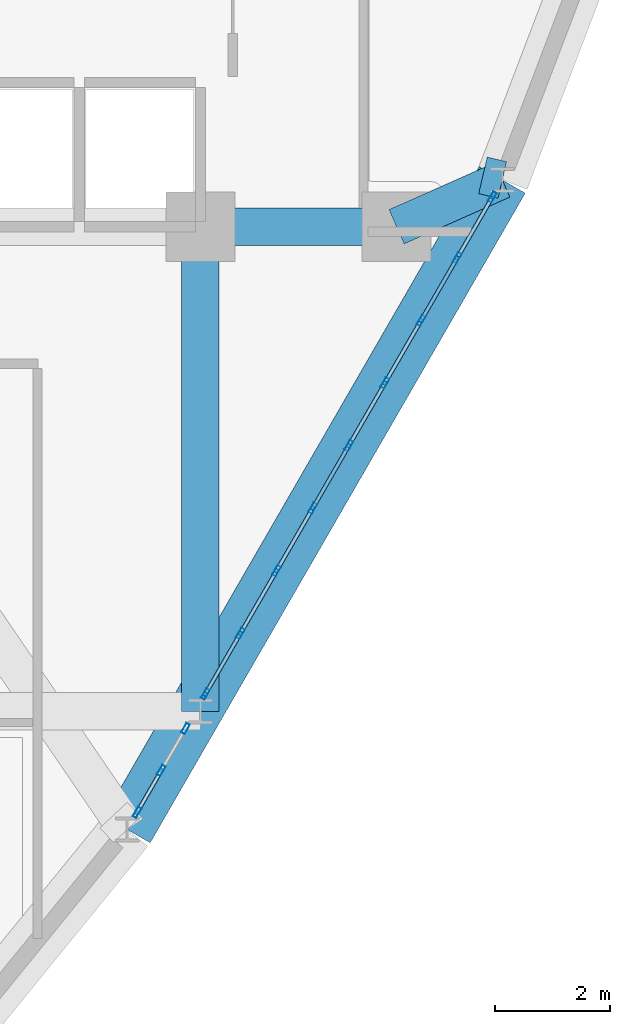
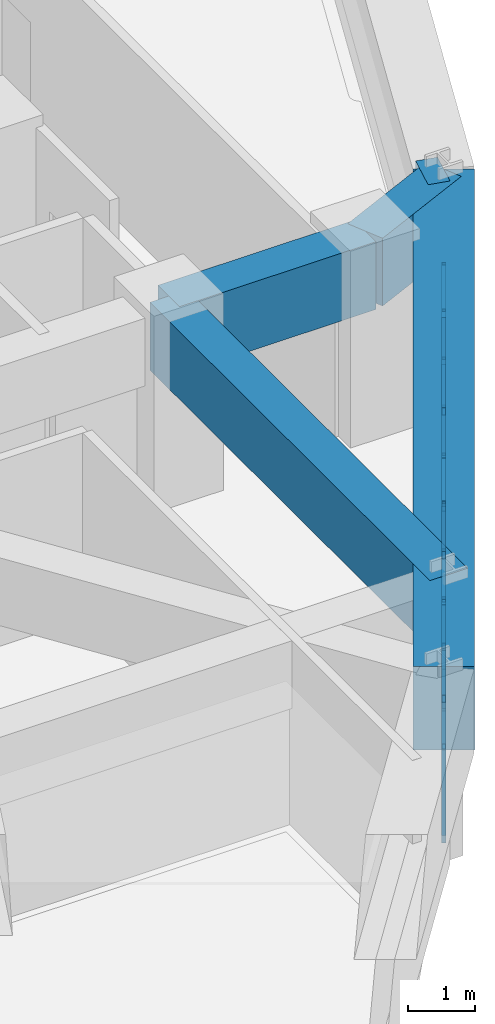
# One storey, part 6 of 13: 32 members, 5 beams, 2 elements without a shape of their own.
"""IFC4 building model written with IfcOpenShell, lengths in metres."""

from ifc_helpers import new_model, si_unit, derived_unit, direction, frame, origin, origin_2d, place, context, subcontext, project, spatial, rectangle, hollow_rectangle, extrude, source, transform, mapped, material, layer, layer_set, material_profile, profile_set, type_object, element, aggregate, save


model = new_model("IFC4")

# Units and contexts
model_context = context("Model", 3, precision=1e-05, world=origin(), true_north=direction((0.0, 1.0)))
body_context = subcontext(model_context, "Body", "Model", "MODEL_VIEW")
ifc_project = project(units=[si_unit("LENGTHUNIT", "METRE"), si_unit("AREAUNIT", "SQUARE_METRE"), si_unit("VOLUMEUNIT", "CUBIC_METRE"), si_unit("PLANEANGLEUNIT", "RADIAN"), si_unit("MASSUNIT", "GRAM", prefix="KILO"), derived_unit("THERMALTRANSMITTANCEUNIT", [(si_unit("POWERUNIT", "WATT"), 1), (si_unit("LENGTHUNIT", "METRE"), -2), (si_unit("THERMODYNAMICTEMPERATUREUNIT", "KELVIN"), -1)])], contexts=[model_context])

# Site, building, storey
site_placement = place(None, origin())
site = spatial("IfcSite", under=ifc_project, at=site_placement, CompositionType="ELEMENT")
building_placement = place(site_placement, origin())
building = spatial("IfcBuilding", under=site, at=building_placement, Name="Korsvarv Bourse and Concert Hall", CompositionType="ELEMENT")
storey_placement = place(building_placement, frame((0.0, 0.0, 154.199951171875)))
storey = spatial("IfcBuildingStorey", under=building, at=storey_placement, Name="L39", CompositionType="ELEMENT", Elevation=154.199951171875)

# Beams
ifc_material_1 = material(Name="Concrete C50/60", Category="concrete")
ifc_material_profile_1 = material_profile(ifc_material_1, rectangle(XDim=0.64990234375, YDim=1.239990234375, at=origin_2d()), Name="RC-BM 650x1240")
ifc_profile_set_1 = profile_set([ifc_material_profile_1], Name="Concrete C50/60")
beam_type_1 = type_object("IfcBeamType", Name="BM-TR-SPN", PredefinedType="BEAM", material=ifc_profile_set_1)
shared_shape_1 = source(origin(), body_context, "Body", "SweptSolid", [
    extrude(rectangle(XDim=0.64990234375, YDim=1.239990234375, at=origin_2d()), origin(), (0.0, 0.0, 1.0), 3.400146484375),
])
beam_1_placement = place(storey_placement, frame((44.39990234375, 32.39990234375, 2.780029296875), z_axis=(1.0, 0.0, 0.0), x_axis=(0.0, 1.0, 0.0)))
element("IfcBeam", 1, at=beam_1_placement, inside=storey, type_object=beam_type_1, Name="L39 beam B-TRS", PredefinedType="BEAM", context=body_context, shape_type="MappedRepresentation", body=[
    mapped(shared_shape_1, transform((0.0, 0.0, 0.0), scale=1.0)),
])
shared_shape_2 = source(origin(), body_context, "Body", "SweptSolid", [
    extrude(rectangle(XDim=0.64990234375, YDim=1.239990234375, at=origin_2d()), origin(), (0.0, 0.0, 1.0), 8.39990234375),
])
beam_2_placement = place(storey_placement, frame((44.39990234375, 24.0, 2.780029296875), z_axis=(0.0, 1.0, 0.0), x_axis=(-1.0, 0.0, 0.0)))
element("IfcBeam", 2, at=beam_2_placement, inside=storey, type_object=beam_type_1, Name="L39 beam B-TRS", PredefinedType="BEAM", context=body_context, shape_type="MappedRepresentation", body=[
    mapped(shared_shape_2, transform((0.0, 0.0, 0.0), scale=1.0)),
])
ifc_material_profile_2 = material_profile(ifc_material_1, rectangle(XDim=0.919921875, YDim=1.530029296875, at=origin_2d()), Name="RC-BM 920x1530")
ifc_profile_set_2 = profile_set([ifc_material_profile_2], Name="Concrete C50/60")
beam_type_2 = type_object("IfcBeamType", Name="BM-TR-154", PredefinedType="BEAM", material=ifc_profile_set_2)
shared_shape_3 = source(origin(), body_context, "Body", "SweptSolid", [
    extrude(rectangle(XDim=0.919921875, YDim=1.530029296875, at=origin_2d()), origin(), (0.0, 0.0, 1.0), 13.001708984375),
])
beam_3_placement = place(storey_placement, frame((43.13037109375, 21.951904296875, 2.635009765625), z_axis=(0.499994445327, 0.866028610752, 0.0), x_axis=(-0.866028610752, 0.499994445327, 0.0)))
element("IfcBeam", 3, at=beam_3_placement, inside=storey, type_object=beam_type_2, Name="L39 beam B-TR6", PredefinedType="BEAM", context=body_context, shape_type="MappedRepresentation", body=[
    mapped(shared_shape_3, transform((0.0, 0.0, 0.0), scale=1.0)),
])
shared_shape_4 = source(origin(), body_context, "Body", "SweptSolid", [
    extrude(rectangle(XDim=0.64990234375, YDim=1.239990234375, at=origin_2d()), origin(), (0.0, 0.0, 1.0), 2.0029296875),
])
beam_4_placement = place(storey_placement, frame((49.631103515625, 33.211669921875, 2.780029296875), z_axis=(-0.914188139756, -0.405290075292, 0.0), x_axis=(0.405290075292, -0.914188139756, 0.0)))
element("IfcBeam", 4, at=beam_4_placement, inside=storey, type_object=beam_type_1, Name="L39 beam B-TRS", PredefinedType="BEAM", context=body_context, shape_type="MappedRepresentation", body=[
    mapped(shared_shape_4, transform((0.0, 0.0, 0.0), scale=1.0)),
])
shared_shape_5 = source(origin(), body_context, "Body", "SweptSolid", [
    extrude(rectangle(XDim=0.64990234375, YDim=1.239990234375, at=origin_2d()), origin(), (0.0, 0.0, 1.0), 0.343505859375),
])
beam_5_placement = place(storey_placement, frame((49.631103515625, 33.211669921875, 2.780029296875), z_axis=(-0.973631110919, 0.228128165405, 0.0), x_axis=(-0.228128165405, -0.973631110919, 0.0)))
element("IfcBeam", 5, at=beam_5_placement, inside=storey, type_object=beam_type_1, Name="L39 beam B-TRS", PredefinedType="BEAM", context=body_context, shape_type="MappedRepresentation", body=[
    mapped(shared_shape_5, transform((0.0, 0.0, 0.0), scale=1.0)),
])

# Curtain wall, members
ifc_material_2 = material(Name="Anodised aluminium and triple low-E glazing", Category="glass")
ifc_layer = layer(ifc_material_2, 0.2099609375)
ifc_layer_set = layer_set([ifc_layer], Name="Anodised aluminium and triple low-E glazing")
curtain_wall_type = type_object("IfcCurtainWallType", Name="CW-SYS-2", PredefinedType="NOTDEFINED", material=ifc_layer_set)
curtain_wall_1_placement = place(storey_placement, origin())
curtain_wall_1 = element("IfcCurtainWall", 6, at=curtain_wall_1_placement, inside=storey, type_object=curtain_wall_type, Name="L39 CW2 curtain wall CW-L39-F11-1", PredefinedType="NOTDEFINED")
ifc_material_3 = material(Name="Extruded aluminium EN AW-6063 T66", Category="aluminium")
ifc_material_profile_3 = material_profile(ifc_material_3, hollow_rectangle(XDim=0.070068359375, YDim=0.18994140625, WallThickness=0.0048828125, at=origin_2d()), Name="ALU-M 70x190")
ifc_profile_set_3 = profile_set([ifc_material_profile_3], Name="Extruded aluminium EN AW-6063 T66")
member_type_1 = type_object("IfcMemberType", Name="CWM-190", PredefinedType="MULLION", material=ifc_profile_set_3)
shared_shape_6 = source(origin(), body_context, "Body", "SweptSolid", [
    extrude(hollow_rectangle(XDim=0.070068359375, YDim=0.18994140625, WallThickness=0.0048828125, at=origin_2d()), origin(), (0.0, 0.0, 1.0), 1.8701171875),
])
member_1_placement = place(storey_placement, frame((43.30224609375, 22.249755859375, 0.0), z_axis=(0.0, 0.0, 1.0), x_axis=(-0.866022601331, 0.500004853961, 0.0)))
member_1 = element("IfcMember", 7, at=member_1_placement, type_object=member_type_1, Name="CW2 mullion 1", PredefinedType="MULLION", context=body_context, shape_type="MappedRepresentation", body=[
    mapped(shared_shape_6, transform((0.0, 0.0, 0.0), scale=1.0)),
])
member_2_placement = place(storey_placement, frame((43.7216796875, 22.975830078125, 0.0), z_axis=(0.0, 0.0, 1.0), x_axis=(-0.866022601331, 0.500004853961, 0.0)))
member_2 = element("IfcMember", 8, at=member_2_placement, type_object=member_type_1, Name="CW2 mullion 2", PredefinedType="MULLION", context=body_context, shape_type="MappedRepresentation", body=[
    mapped(shared_shape_6, transform((0.0, 0.0, 0.0), scale=1.0)),
])
member_3_placement = place(storey_placement, frame((44.140869140625, 23.7021484375, 0.0), z_axis=(0.0, 0.0, 1.0), x_axis=(-0.866022601331, 0.500004853961, 0.0)))
member_3 = element("IfcMember", 9, at=member_3_placement, type_object=member_type_1, Name="CW2 mullion 3", PredefinedType="MULLION", context=body_context, shape_type="MappedRepresentation", body=[
    mapped(shared_shape_6, transform((0.0, 0.0, 0.0), scale=1.0)),
])

curtain_wall_2_placement = place(storey_placement, origin())
curtain_wall_2 = element("IfcCurtainWall", 10, at=curtain_wall_2_placement, inside=storey, type_object=curtain_wall_type, Name="L39 CW2 curtain wall CW-L39-F11-2", PredefinedType="NOTDEFINED")
member_4_placement = place(storey_placement, frame((44.48486328125, 24.2978515625, 0.0), z_axis=(0.0, 0.0, 1.0), x_axis=(-0.866022695876, 0.500004690206, 0.0)))
member_4 = element("IfcMember", 11, at=member_4_placement, type_object=member_type_1, Name="CW2 mullion 1", PredefinedType="MULLION", context=body_context, shape_type="MappedRepresentation", body=[
    mapped(shared_shape_6, transform((0.0, 0.0, 0.0), scale=1.0)),
])
member_5_placement = place(storey_placement, frame((45.093505859375, 25.35205078125, 0.0), z_axis=(0.0, 0.0, 1.0), x_axis=(-0.866022695876, 0.500004690206, 0.0)))
member_5 = element("IfcMember", 12, at=member_5_placement, type_object=member_type_1, Name="CW2 mullion 2", PredefinedType="MULLION", context=body_context, shape_type="MappedRepresentation", body=[
    mapped(shared_shape_6, transform((0.0, 0.0, 0.0), scale=1.0)),
])
member_6_placement = place(storey_placement, frame((45.7197265625, 26.436767578125, 0.0), z_axis=(0.0, 0.0, 1.0), x_axis=(-0.866022695876, 0.500004690206, 0.0)))
member_6 = element("IfcMember", 13, at=member_6_placement, type_object=member_type_1, Name="CW2 mullion 3", PredefinedType="MULLION", context=body_context, shape_type="MappedRepresentation", body=[
    mapped(shared_shape_6, transform((0.0, 0.0, 0.0), scale=1.0)),
])
member_7_placement = place(storey_placement, frame((46.345947265625, 27.521240234375, 0.0), z_axis=(0.0, 0.0, 1.0), x_axis=(-0.866022695876, 0.500004690206, 0.0)))
member_7 = element("IfcMember", 14, at=member_7_placement, type_object=member_type_1, Name="CW2 mullion 4", PredefinedType="MULLION", context=body_context, shape_type="MappedRepresentation", body=[
    mapped(shared_shape_6, transform((0.0, 0.0, 0.0), scale=1.0)),
])
member_8_placement = place(storey_placement, frame((46.97216796875, 28.605712890625, 0.0), z_axis=(0.0, 0.0, 1.0), x_axis=(-0.866022695876, 0.500004690206, 0.0)))
member_8 = element("IfcMember", 15, at=member_8_placement, type_object=member_type_1, Name="CW2 mullion 5", PredefinedType="MULLION", context=body_context, shape_type="MappedRepresentation", body=[
    mapped(shared_shape_6, transform((0.0, 0.0, 0.0), scale=1.0)),
])
member_9_placement = place(storey_placement, frame((47.59814453125, 29.6904296875, 0.0), z_axis=(0.0, 0.0, 1.0), x_axis=(-0.866022695876, 0.500004690206, 0.0)))
member_9 = element("IfcMember", 16, at=member_9_placement, type_object=member_type_1, Name="CW2 mullion 6", PredefinedType="MULLION", context=body_context, shape_type="MappedRepresentation", body=[
    mapped(shared_shape_6, transform((0.0, 0.0, 0.0), scale=1.0)),
])
member_10_placement = place(storey_placement, frame((48.224365234375, 30.77490234375, 0.0), z_axis=(0.0, 0.0, 1.0), x_axis=(-0.866022695876, 0.500004690206, 0.0)))
member_10 = element("IfcMember", 17, at=member_10_placement, type_object=member_type_1, Name="CW2 mullion 7", PredefinedType="MULLION", context=body_context, shape_type="MappedRepresentation", body=[
    mapped(shared_shape_6, transform((0.0, 0.0, 0.0), scale=1.0)),
])
member_11_placement = place(storey_placement, frame((48.8505859375, 31.859619140625, 0.0), z_axis=(0.0, 0.0, 1.0), x_axis=(-0.866022695876, 0.500004690206, 0.0)))
member_11 = element("IfcMember", 18, at=member_11_placement, type_object=member_type_1, Name="CW2 mullion 8", PredefinedType="MULLION", context=body_context, shape_type="MappedRepresentation", body=[
    mapped(shared_shape_6, transform((0.0, 0.0, 0.0), scale=1.0)),
])
member_12_placement = place(storey_placement, frame((49.459228515625, 32.913818359375, 0.0), z_axis=(0.0, 0.0, 1.0), x_axis=(-0.866022695876, 0.500004690206, 0.0)))
member_12 = element("IfcMember", 19, at=member_12_placement, type_object=member_type_1, Name="CW2 mullion 9", PredefinedType="MULLION", context=body_context, shape_type="MappedRepresentation", body=[
    mapped(shared_shape_6, transform((0.0, 0.0, 0.0), scale=1.0)),
])
ifc_material_profile_4 = material_profile(ifc_material_3, hollow_rectangle(XDim=0.06494140625, YDim=0.1650390625, WallThickness=0.0048828125, at=origin_2d()), Name="ALU-M 65x165")
ifc_profile_set_4 = profile_set([ifc_material_profile_4], Name="Extruded aluminium EN AW-6063 T66")
member_type_2 = type_object("IfcMemberType", Name="CWM-165", PredefinedType="MULLION", material=ifc_profile_set_4)
shared_shape_7 = source(origin(), body_context, "Body", "SweptSolid", [
    extrude(hollow_rectangle(XDim=0.06494140625, YDim=0.1650390625, WallThickness=0.0048828125, at=origin_2d()), origin(), (0.0, 0.0, 1.0), 2.103759765625),
])
member_13_placement = place(storey_placement, frame((46.95458984375, 28.575439453125, 0.06494140625), z_axis=(-0.281077674293, -0.486721620968, 0.827101810357), x_axis=(0.865972382579, -0.500091824179, 0.0)))
member_13 = element("IfcMember", 20, at=member_13_placement, type_object=member_type_2, Name="CW2 diagonal mullion 4", PredefinedType="MULLION", context=body_context, shape_type="MappedRepresentation", body=[
    mapped(shared_shape_7, transform((0.0, 0.0, 0.0), scale=1.0)),
])
member_14_placement = place(storey_placement, frame((48.241943359375, 30.80517578125, 0.06494140625), z_axis=(0.280970785815, 0.486737495129, 0.827128785833), x_axis=(-0.866061796884, 0.499936960004, 0.0)))
member_14 = element("IfcMember", 21, at=member_14_placement, type_object=member_type_2, Name="CW2 diagonal mullion 7", PredefinedType="MULLION", context=body_context, shape_type="MappedRepresentation", body=[
    mapped(shared_shape_7, transform((0.0, 0.0, 0.0), scale=1.0)),
])

# Member
shared_shape_8 = source(origin(), body_context, "Body", "SweptSolid", [
    extrude(hollow_rectangle(XDim=0.06494140625, YDim=0.1650390625, WallThickness=0.0048828125, at=origin_2d()), origin(), (0.0, 0.0, 1.0), 1.902099609375),
])
member_15_placement = place(storey_placement, frame((43.31982421875, 22.280029296875, 0.06494140625), z_axis=(0.202022988708, 0.349882253633, 0.914750851667), x_axis=(-0.866005709019, 0.500034110783, 0.0)))
member_15 = element("IfcMember", 22, at=member_15_placement, type_object=member_type_2, Name="CW2 diagonal mullion 1", PredefinedType="MULLION", context=body_context, shape_type="MappedRepresentation", body=[
    mapped(shared_shape_8, transform((0.0, 0.0, 0.0), scale=1.0)),
])

aggregate(curtain_wall_1, [member_1, member_2, member_3, member_15])

ifc_material_profile_5 = material_profile(ifc_material_3, hollow_rectangle(XDim=0.06494140625, YDim=0.139892578125, WallThickness=0.00390625, at=origin_2d()), Name="ALU-T 65x140")
ifc_profile_set_5 = profile_set([ifc_material_profile_5], Name="Extruded aluminium EN AW-6063 T66")
member_type_3 = type_object("IfcMemberType", Name="CWT-140", PredefinedType="USERDEFINED", material=ifc_profile_set_5)
shared_shape_9 = source(origin(), body_context, "Body", "SweptSolid", [
    extrude(hollow_rectangle(XDim=0.06494140625, YDim=0.139892578125, WallThickness=0.00390625, at=origin_2d()), origin(), (0.0, 0.0, 1.0), 1.1474609375),
])
member_16_placement = place(storey_placement, frame((44.502197265625, 24.328125, 0.032470703125), z_axis=(0.500029427677, 0.866008413041, 0.0), x_axis=(-0.866008413041, 0.500029427677, 0.0)))
member_16 = element("IfcMember", 23, at=member_16_placement, type_object=member_type_3, Name="CW2 transom 1.1", ObjectType="TRANSOM", PredefinedType="USERDEFINED", context=body_context, shape_type="MappedRepresentation", body=[
    mapped(shared_shape_9, transform((0.0, 0.0, 0.0), scale=1.0)),
])

member_17_placement = place(storey_placement, frame((44.502197265625, 24.328125, 1.837646484375), z_axis=(0.500029427677, 0.866008413041, 0.0), x_axis=(-0.866008413041, 0.500029427677, 0.0)))
member_17 = element("IfcMember", 24, at=member_17_placement, type_object=member_type_3, Name="CW2 transom 1.2", ObjectType="TRANSOM", PredefinedType="USERDEFINED", context=body_context, shape_type="MappedRepresentation", body=[
    mapped(shared_shape_9, transform((0.0, 0.0, 0.0), scale=1.0)),
])

member_18_placement = place(storey_placement, frame((48.8681640625, 31.889892578125, 0.032470703125), z_axis=(0.500029427677, 0.866008413041, 0.0), x_axis=(-0.866008413041, 0.500029427677, 0.0)))
member_18 = element("IfcMember", 25, at=member_18_placement, type_object=member_type_3, Name="CW2 transom 8.1", ObjectType="TRANSOM", PredefinedType="USERDEFINED", context=body_context, shape_type="MappedRepresentation", body=[
    mapped(shared_shape_9, transform((0.0, 0.0, 0.0), scale=1.0)),
])

member_19_placement = place(storey_placement, frame((48.8681640625, 31.889892578125, 1.837646484375), z_axis=(0.500029427677, 0.866008413041, 0.0), x_axis=(-0.866008413041, 0.500029427677, 0.0)))
member_19 = element("IfcMember", 26, at=member_19_placement, type_object=member_type_3, Name="CW2 transom 8.2", ObjectType="TRANSOM", PredefinedType="USERDEFINED", context=body_context, shape_type="MappedRepresentation", body=[
    mapped(shared_shape_9, transform((0.0, 0.0, 0.0), scale=1.0)),
])

shared_shape_10 = source(origin(), body_context, "Body", "SweptSolid", [
    extrude(hollow_rectangle(XDim=0.06494140625, YDim=0.1650390625, WallThickness=0.0048828125, at=origin_2d()), origin(), (0.0, 0.0, 1.0), 2.084228515625),
])
member_20_placement = place(storey_placement, frame((44.502197265625, 24.328125, 0.06494140625), z_axis=(0.275270153255, 0.476744478191, 0.834829949894), x_axis=(-0.866008413041, 0.500029427677, 0.0)))
member_20 = element("IfcMember", 27, at=member_20_placement, type_object=member_type_2, Name="CW2 diagonal mullion 1", PredefinedType="MULLION", context=body_context, shape_type="MappedRepresentation", body=[
    mapped(shared_shape_10, transform((0.0, 0.0, 0.0), scale=1.0)),
])

shared_shape_11 = source(origin(), body_context, "Body", "SweptSolid", [
    extrude(hollow_rectangle(XDim=0.06494140625, YDim=0.139892578125, WallThickness=0.00390625, at=origin_2d()), origin(), (0.0, 0.0, 1.0), 1.182373046875),
])
member_21_placement = place(storey_placement, frame((45.111083984375, 25.38232421875, 0.032470703125), z_axis=(0.499936960004, 0.866061796884, 0.0), x_axis=(-0.866061796884, 0.499936960004, 0.0)))
member_21 = element("IfcMember", 28, at=member_21_placement, type_object=member_type_3, Name="CW2 transom 2.1", ObjectType="TRANSOM", PredefinedType="USERDEFINED", context=body_context, shape_type="MappedRepresentation", body=[
    mapped(shared_shape_11, transform((0.0, 0.0, 0.0), scale=1.0)),
])

member_22_placement = place(storey_placement, frame((45.111083984375, 25.38232421875, 1.837646484375), z_axis=(0.499936960004, 0.866061796884, 0.0), x_axis=(-0.866061796884, 0.499936960004, 0.0)))
member_22 = element("IfcMember", 29, at=member_22_placement, type_object=member_type_3, Name="CW2 transom 2.2", ObjectType="TRANSOM", PredefinedType="USERDEFINED", context=body_context, shape_type="MappedRepresentation", body=[
    mapped(shared_shape_11, transform((0.0, 0.0, 0.0), scale=1.0)),
])

member_23_placement = place(storey_placement, frame((45.737060546875, 26.467041015625, 0.032470703125), z_axis=(0.500091824179, 0.865972382579, 0.0), x_axis=(-0.865972382579, 0.500091824179, 0.0)))
member_23 = element("IfcMember", 30, at=member_23_placement, type_object=member_type_3, Name="CW2 transom 3.1", ObjectType="TRANSOM", PredefinedType="USERDEFINED", context=body_context, shape_type="MappedRepresentation", body=[
    mapped(shared_shape_11, transform((0.0, 0.0, 0.0), scale=1.0)),
])

member_24_placement = place(storey_placement, frame((45.737060546875, 26.467041015625, 1.837646484375), z_axis=(0.500091824179, 0.865972382579, 0.0), x_axis=(-0.865972382579, 0.500091824179, 0.0)))
member_24 = element("IfcMember", 31, at=member_24_placement, type_object=member_type_3, Name="CW2 transom 3.2", ObjectType="TRANSOM", PredefinedType="USERDEFINED", context=body_context, shape_type="MappedRepresentation", body=[
    mapped(shared_shape_11, transform((0.0, 0.0, 0.0), scale=1.0)),
])

member_25_placement = place(storey_placement, frame((46.36328125, 27.551513671875, 0.032470703125), z_axis=(0.500091824179, 0.865972382579, 0.0), x_axis=(-0.865972382579, 0.500091824179, 0.0)))
member_25 = element("IfcMember", 32, at=member_25_placement, type_object=member_type_3, Name="CW2 transom 4.1", ObjectType="TRANSOM", PredefinedType="USERDEFINED", context=body_context, shape_type="MappedRepresentation", body=[
    mapped(shared_shape_11, transform((0.0, 0.0, 0.0), scale=1.0)),
])

member_26_placement = place(storey_placement, frame((46.36328125, 27.551513671875, 1.837646484375), z_axis=(0.500091824179, 0.865972382579, 0.0), x_axis=(-0.865972382579, 0.500091824179, 0.0)))
member_26 = element("IfcMember", 33, at=member_26_placement, type_object=member_type_3, Name="CW2 transom 4.2", ObjectType="TRANSOM", PredefinedType="USERDEFINED", context=body_context, shape_type="MappedRepresentation", body=[
    mapped(shared_shape_11, transform((0.0, 0.0, 0.0), scale=1.0)),
])

member_27_placement = place(storey_placement, frame((46.989501953125, 28.63623046875, 0.032470703125), z_axis=(0.500091824179, 0.865972382579, 0.0), x_axis=(-0.865972382579, 0.500091824179, 0.0)))
member_27 = element("IfcMember", 34, at=member_27_placement, type_object=member_type_3, Name="CW2 transom 5.1", ObjectType="TRANSOM", PredefinedType="USERDEFINED", context=body_context, shape_type="MappedRepresentation", body=[
    mapped(shared_shape_11, transform((0.0, 0.0, 0.0), scale=1.0)),
])

member_28_placement = place(storey_placement, frame((46.989501953125, 28.63623046875, 1.837646484375), z_axis=(0.500091824179, 0.865972382579, 0.0), x_axis=(-0.865972382579, 0.500091824179, 0.0)))
member_28 = element("IfcMember", 35, at=member_28_placement, type_object=member_type_3, Name="CW2 transom 5.2", ObjectType="TRANSOM", PredefinedType="USERDEFINED", context=body_context, shape_type="MappedRepresentation", body=[
    mapped(shared_shape_11, transform((0.0, 0.0, 0.0), scale=1.0)),
])

member_29_placement = place(storey_placement, frame((47.61572265625, 29.720703125, 0.032470703125), z_axis=(0.500091824179, 0.865972382579, 0.0), x_axis=(-0.865972382579, 0.500091824179, 0.0)))
member_29 = element("IfcMember", 36, at=member_29_placement, type_object=member_type_3, Name="CW2 transom 6.1", ObjectType="TRANSOM", PredefinedType="USERDEFINED", context=body_context, shape_type="MappedRepresentation", body=[
    mapped(shared_shape_11, transform((0.0, 0.0, 0.0), scale=1.0)),
])

member_30_placement = place(storey_placement, frame((47.61572265625, 29.720703125, 1.837646484375), z_axis=(0.500091824179, 0.865972382579, 0.0), x_axis=(-0.865972382579, 0.500091824179, 0.0)))
member_30 = element("IfcMember", 37, at=member_30_placement, type_object=member_type_3, Name="CW2 transom 6.2", ObjectType="TRANSOM", PredefinedType="USERDEFINED", context=body_context, shape_type="MappedRepresentation", body=[
    mapped(shared_shape_11, transform((0.0, 0.0, 0.0), scale=1.0)),
])

member_31_placement = place(storey_placement, frame((48.241943359375, 30.80517578125, 0.032470703125), z_axis=(0.499936960004, 0.866061796884, 0.0), x_axis=(-0.866061796884, 0.499936960004, 0.0)))
member_31 = element("IfcMember", 38, at=member_31_placement, type_object=member_type_3, Name="CW2 transom 7.1", ObjectType="TRANSOM", PredefinedType="USERDEFINED", context=body_context, shape_type="MappedRepresentation", body=[
    mapped(shared_shape_11, transform((0.0, 0.0, 0.0), scale=1.0)),
])

member_32_placement = place(storey_placement, frame((48.241943359375, 30.80517578125, 1.837646484375), z_axis=(0.499936960004, 0.866061796884, 0.0), x_axis=(-0.866061796884, 0.499936960004, 0.0)))
member_32 = element("IfcMember", 39, at=member_32_placement, type_object=member_type_3, Name="CW2 transom 7.2", ObjectType="TRANSOM", PredefinedType="USERDEFINED", context=body_context, shape_type="MappedRepresentation", body=[
    mapped(shared_shape_11, transform((0.0, 0.0, 0.0), scale=1.0)),
])

aggregate(curtain_wall_2, [member_4, member_5, member_6, member_7, member_8, member_9, member_10, member_11, member_12, member_16, member_17, member_20, member_21, member_22, member_23, member_24, member_25, member_26, member_13, member_27, member_28, member_29, member_30, member_31, member_32, member_14, member_18, member_19])

save(model, "model.ifc")
